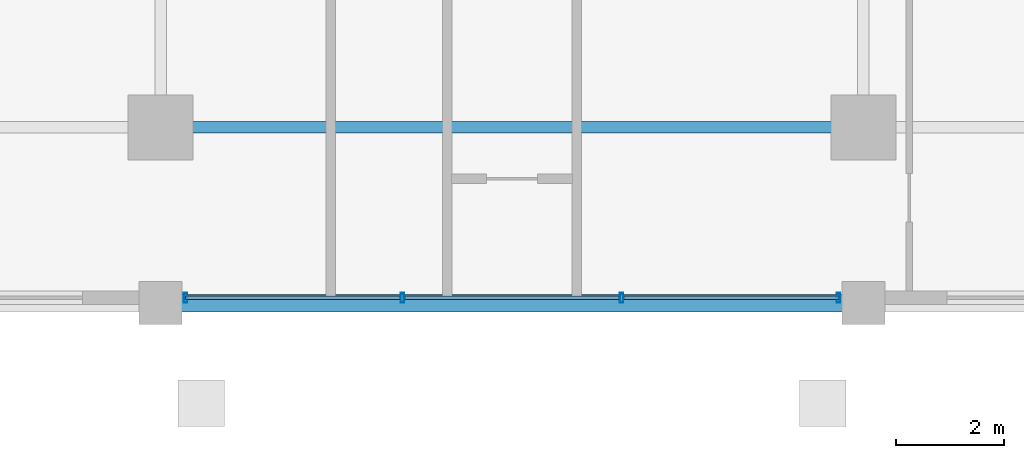
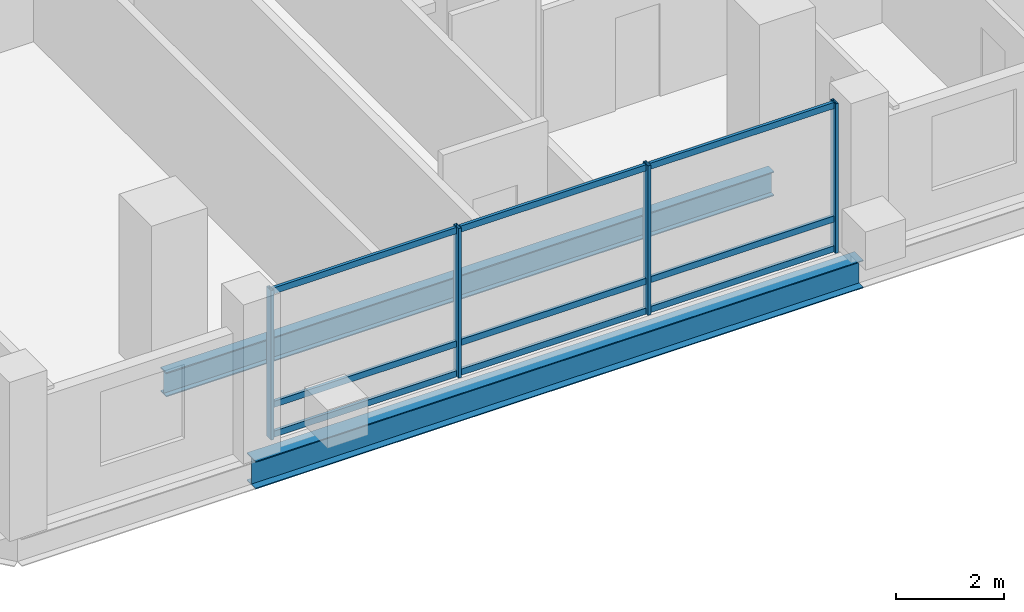
# One storey, part 2 of 19: 13 members, 2 beams, 1 element without a shape of its own.
"""IFC4 building model written with IfcOpenShell, lengths in metres."""

from ifc_helpers import new_model, si_unit, direction, frame, origin, origin_2d, place, context, subcontext, project, spatial, hollow_rectangle, i_section, extrude, material, layer, layer_set, material_profile, profile_set, type_object, element, aggregate, save


model = new_model("IFC4")

# Units and contexts
model_context = context("Model", 3, precision=1e-05, world=origin(), true_north=direction((0.0, 1.0)))
body_context = subcontext(model_context, "Body", "Model", "MODEL_VIEW")
ifc_project = project(units=[si_unit("LENGTHUNIT", "METRE"), si_unit("AREAUNIT", "SQUARE_METRE"), si_unit("VOLUMEUNIT", "CUBIC_METRE"), si_unit("PLANEANGLEUNIT", "RADIAN"), si_unit("MASSUNIT", "GRAM", prefix="KILO")], contexts=[model_context])

# Site, building, storey
site_placement = place(None, origin())
site = spatial("IfcSite", under=ifc_project, at=site_placement, CompositionType="ELEMENT")
building_placement = place(site_placement, origin())
building = spatial("IfcBuilding", under=site, at=building_placement, Name="Barlavira Tower and Art Museum", CompositionType="ELEMENT")
storey_placement = place(building_placement, frame((0.0, 0.0, 158.39990234375)))
storey = spatial("IfcBuildingStorey", under=building, at=storey_placement, Name="L40", CompositionType="ELEMENT", Elevation=158.39990234375)

# Curtain wall, members
ifc_material_1 = material(Name="Low-iron coastal laminated glass", Category="glass")
ifc_layer = layer(ifc_material_1, 0.18994140625, Name="Low-iron coastal laminated glass")
ifc_layer_set = layer_set([ifc_layer], Name="Low-iron coastal laminated glass")
curtain_wall_type = type_object("IfcCurtainWallType", Name="Pale-Metal Unitised Curtain Wall Zone 2", PredefinedType="NOTDEFINED", material=ifc_layer_set)
curtain_wall_placement = place(storey_placement, origin())
curtain_wall = element("IfcCurtainWall", 1, at=curtain_wall_placement, inside=storey, type_object=curtain_wall_type, Name="L40 Curtain Wall CW2-L40-S-B3", PredefinedType="NOTDEFINED")
ifc_material_2 = material(Name="Pale anodised aluminium", Category="aluminium")
ifc_material_profile_1 = material_profile(ifc_material_2, hollow_rectangle(XDim=0.06494140625, YDim=0.179931640625, WallThickness=0.00390625, at=origin_2d()), Name="ALU-MULL 65x180x4")
ifc_profile_set_1 = profile_set([ifc_material_profile_1], Name="Pale anodised aluminium")
member_type_1 = type_object("IfcMemberType", Name="Curtain Wall Pale-Metal Mullion 65x180", PredefinedType="MULLION", material=ifc_profile_set_1)
member_1_placement = place(storey_placement, frame((-6.034912109375, -23.14990234375, 0.0), z_axis=(0.0, 0.0, 1.0), x_axis=(1.0, 0.0, 0.0)))
member_1 = element("IfcMember", 2, at=member_1_placement, type_object=member_type_1, Name="CW2-L40-S-B3 Mullion 0", PredefinedType="MULLION", context=body_context, shape_type="SweptSolid", body=[
    extrude(hollow_rectangle(XDim=0.06494140625, YDim=0.179931640625, WallThickness=0.00390625, at=origin_2d()), origin(), (0.0, 0.0, 1.0), 3.380126953125),
])
member_2_placement = place(storey_placement, frame((-2.026611328125, -23.14990234375, 0.0), z_axis=(0.0, 0.0, 1.0), x_axis=(1.0, 0.0, 0.0)))
member_2 = element("IfcMember", 3, at=member_2_placement, type_object=member_type_1, Name="CW2-L40-S-B3 Mullion 1", PredefinedType="MULLION", context=body_context, shape_type="SweptSolid", body=[
    extrude(hollow_rectangle(XDim=0.06494140625, YDim=0.179931640625, WallThickness=0.00390625, at=origin_2d()), origin(), (0.0, 0.0, 1.0), 3.380126953125),
])
member_3_placement = place(storey_placement, frame((2.026611328125, -23.14990234375, 0.0), z_axis=(0.0, 0.0, 1.0), x_axis=(1.0, 0.0, 0.0)))
member_3 = element("IfcMember", 4, at=member_3_placement, type_object=member_type_1, Name="CW2-L40-S-B3 Mullion 2", PredefinedType="MULLION", context=body_context, shape_type="SweptSolid", body=[
    extrude(hollow_rectangle(XDim=0.06494140625, YDim=0.179931640625, WallThickness=0.00390625, at=origin_2d()), origin(), (0.0, 0.0, 1.0), 3.380126953125),
])
member_4_placement = place(storey_placement, frame((6.034912109375, -23.14990234375, 0.0), z_axis=(0.0, 0.0, 1.0), x_axis=(1.0, 0.0, 0.0)))
member_4 = element("IfcMember", 5, at=member_4_placement, type_object=member_type_1, Name="CW2-L40-S-B3 Mullion 3", PredefinedType="MULLION", context=body_context, shape_type="SweptSolid", body=[
    extrude(hollow_rectangle(XDim=0.06494140625, YDim=0.179931640625, WallThickness=0.00390625, at=origin_2d()), origin(), (0.0, 0.0, 1.0), 3.380126953125),
])
ifc_material_profile_2 = material_profile(ifc_material_2, hollow_rectangle(XDim=0.06494140625, YDim=0.139892578125, WallThickness=0.00390625, at=origin_2d()), Name="ALU-TRAN 65x140x4")
ifc_profile_set_2 = profile_set([ifc_material_profile_2], Name="Pale anodised aluminium")
member_type_2 = type_object("IfcMemberType", Name="Curtain Wall Pale-Metal Transom 65x140", PredefinedType="USERDEFINED", material=ifc_profile_set_2)
member_5_placement = place(storey_placement, frame((-6.034912109375, -23.14990234375, 0.070068359375), z_axis=(1.0, 0.0, 0.0), x_axis=(0.0, 1.0, 0.0)))
member_5 = element("IfcMember", 6, at=member_5_placement, type_object=member_type_2, Name="CW2-L40-S-B3 Transom 0.1", ObjectType="TRANSOM", PredefinedType="USERDEFINED", context=body_context, shape_type="SweptSolid", body=[
    extrude(hollow_rectangle(XDim=0.06494140625, YDim=0.139892578125, WallThickness=0.00390625, at=origin_2d()), origin(), (0.0, 0.0, 1.0), 3.963134765625),
])
member_6_placement = place(storey_placement, frame((-6.034912109375, -23.14990234375, 0.744140625), z_axis=(1.0, 0.0, 0.0), x_axis=(0.0, 1.0, 0.0)))
member_6 = element("IfcMember", 7, at=member_6_placement, type_object=member_type_2, Name="CW2-L40-S-B3 Transom 0.2", ObjectType="TRANSOM", PredefinedType="USERDEFINED", context=body_context, shape_type="SweptSolid", body=[
    extrude(hollow_rectangle(XDim=0.06494140625, YDim=0.139892578125, WallThickness=0.00390625, at=origin_2d()), origin(), (0.0, 0.0, 1.0), 3.963134765625),
])
member_7_placement = place(storey_placement, frame((-6.034912109375, -23.14990234375, 3.31005859375), z_axis=(1.0, 0.0, 0.0), x_axis=(0.0, 1.0, 0.0)))
member_7 = element("IfcMember", 8, at=member_7_placement, type_object=member_type_2, Name="CW2-L40-S-B3 Transom 0.3", ObjectType="TRANSOM", PredefinedType="USERDEFINED", context=body_context, shape_type="SweptSolid", body=[
    extrude(hollow_rectangle(XDim=0.06494140625, YDim=0.139892578125, WallThickness=0.00390625, at=origin_2d()), origin(), (0.0, 0.0, 1.0), 3.963134765625),
])
member_8_placement = place(storey_placement, frame((-1.981689453125, -23.14990234375, 0.070068359375), z_axis=(1.0, 0.0, 0.0), x_axis=(0.0, 1.0, 0.0)))
member_8 = element("IfcMember", 9, at=member_8_placement, type_object=member_type_2, Name="CW2-L40-S-B3 Transom 1.1", ObjectType="TRANSOM", PredefinedType="USERDEFINED", context=body_context, shape_type="SweptSolid", body=[
    extrude(hollow_rectangle(XDim=0.06494140625, YDim=0.139892578125, WallThickness=0.00390625, at=origin_2d()), origin(), (0.0, 0.0, 1.0), 3.96337890625),
])
member_9_placement = place(storey_placement, frame((-1.981689453125, -23.14990234375, 0.744140625), z_axis=(1.0, 0.0, 0.0), x_axis=(0.0, 1.0, 0.0)))
member_9 = element("IfcMember", 10, at=member_9_placement, type_object=member_type_2, Name="CW2-L40-S-B3 Transom 1.2", ObjectType="TRANSOM", PredefinedType="USERDEFINED", context=body_context, shape_type="SweptSolid", body=[
    extrude(hollow_rectangle(XDim=0.06494140625, YDim=0.139892578125, WallThickness=0.00390625, at=origin_2d()), origin(), (0.0, 0.0, 1.0), 3.96337890625),
])
member_10_placement = place(storey_placement, frame((-1.981689453125, -23.14990234375, 3.31005859375), z_axis=(1.0, 0.0, 0.0), x_axis=(0.0, 1.0, 0.0)))
member_10 = element("IfcMember", 11, at=member_10_placement, type_object=member_type_2, Name="CW2-L40-S-B3 Transom 1.3", ObjectType="TRANSOM", PredefinedType="USERDEFINED", context=body_context, shape_type="SweptSolid", body=[
    extrude(hollow_rectangle(XDim=0.06494140625, YDim=0.139892578125, WallThickness=0.00390625, at=origin_2d()), origin(), (0.0, 0.0, 1.0), 3.96337890625),
])
member_11_placement = place(storey_placement, frame((2.07177734375, -23.14990234375, 0.070068359375), z_axis=(1.0, 0.0, 0.0), x_axis=(0.0, 1.0, 0.0)))
member_11 = element("IfcMember", 12, at=member_11_placement, type_object=member_type_2, Name="CW2-L40-S-B3 Transom 2.1", ObjectType="TRANSOM", PredefinedType="USERDEFINED", context=body_context, shape_type="SweptSolid", body=[
    extrude(hollow_rectangle(XDim=0.06494140625, YDim=0.139892578125, WallThickness=0.00390625, at=origin_2d()), origin(), (0.0, 0.0, 1.0), 3.963134765625),
])
member_12_placement = place(storey_placement, frame((2.07177734375, -23.14990234375, 0.744140625), z_axis=(1.0, 0.0, 0.0), x_axis=(0.0, 1.0, 0.0)))
member_12 = element("IfcMember", 13, at=member_12_placement, type_object=member_type_2, Name="CW2-L40-S-B3 Transom 2.2", ObjectType="TRANSOM", PredefinedType="USERDEFINED", context=body_context, shape_type="SweptSolid", body=[
    extrude(hollow_rectangle(XDim=0.06494140625, YDim=0.139892578125, WallThickness=0.00390625, at=origin_2d()), origin(), (0.0, 0.0, 1.0), 3.963134765625),
])
member_13_placement = place(storey_placement, frame((2.07177734375, -23.14990234375, 3.31005859375), z_axis=(1.0, 0.0, 0.0), x_axis=(0.0, 1.0, 0.0)))
member_13 = element("IfcMember", 14, at=member_13_placement, type_object=member_type_2, Name="CW2-L40-S-B3 Transom 2.3", ObjectType="TRANSOM", PredefinedType="USERDEFINED", context=body_context, shape_type="SweptSolid", body=[
    extrude(hollow_rectangle(XDim=0.06494140625, YDim=0.139892578125, WallThickness=0.00390625, at=origin_2d()), origin(), (0.0, 0.0, 1.0), 3.963134765625),
])
aggregate(curtain_wall, [member_1, member_2, member_3, member_4, member_5, member_6, member_7, member_8, member_9, member_10, member_11, member_12, member_13])

# Beams
ifc_material_3 = material(Name="Steel S355", Category="steel")
ifc_material_profile_3 = material_profile(ifc_material_3, i_section(OverallWidth=0.327880859375, OverallDepth=0.62890625, WebThickness=0.013916015625, FlangeThickness=0.021484375, at=origin_2d()), Name="W610x174.0")
ifc_profile_set_3 = profile_set([ifc_material_profile_3], Name="Steel S355")
beam_type_1 = type_object("IfcBeamType", Name="Perimeter Spandrel Edge Beam W610x174 Steel S355", PredefinedType="SPANDREL", material=ifc_profile_set_3)
beam_1_placement = place(storey_placement, frame((-6.5, -23.25, -0.534423828125), z_axis=(1.0, 0.0, 0.0), x_axis=(0.0, 1.0, 0.0)))
element("IfcBeam", 15, at=beam_1_placement, inside=storey, type_object=beam_type_1, Name="L40 Spandrel 2", PredefinedType="SPANDREL", context=body_context, shape_type="SweptSolid", body=[
    extrude(i_section(OverallWidth=0.327880859375, OverallDepth=0.62890625, WebThickness=0.013916015625, FlangeThickness=0.021484375, at=origin_2d()), origin(), (0.0, 0.0, 1.0), 13.0),
])
ifc_material_profile_4 = material_profile(ifc_material_3, i_section(OverallWidth=0.214111328125, OverallDepth=0.549072265625, WebThickness=0.0146484375, FlangeThickness=0.023681640625, at=origin_2d()), Name="W530x138.0")
ifc_profile_set_4 = profile_set([ifc_material_profile_4], Name="Steel S355")
beam_type_2 = type_object("IfcBeamType", Name="Zone 1 Primary Floor Girder W530x138 Steel S355", PredefinedType="BEAM", material=ifc_profile_set_4)
beam_2_placement = place(storey_placement, frame((-6.5, -20.0, -0.494384765625), z_axis=(1.0, 0.0, 0.0), x_axis=(0.0, 1.0, 0.0)))
element("IfcBeam", 16, at=beam_2_placement, inside=storey, type_object=beam_type_2, Name="L40 Girder M-S2", PredefinedType="BEAM", context=body_context, shape_type="SweptSolid", body=[
    extrude(i_section(OverallWidth=0.214111328125, OverallDepth=0.549072265625, WebThickness=0.0146484375, FlangeThickness=0.023681640625, at=origin_2d()), origin(), (0.0, 0.0, 1.0), 13.0),
])

save(model, "model.ifc")
